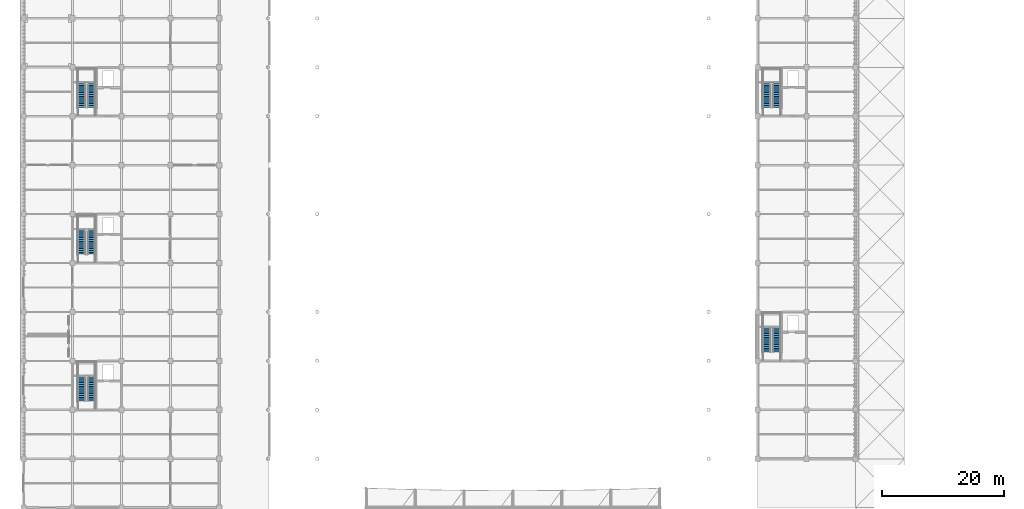
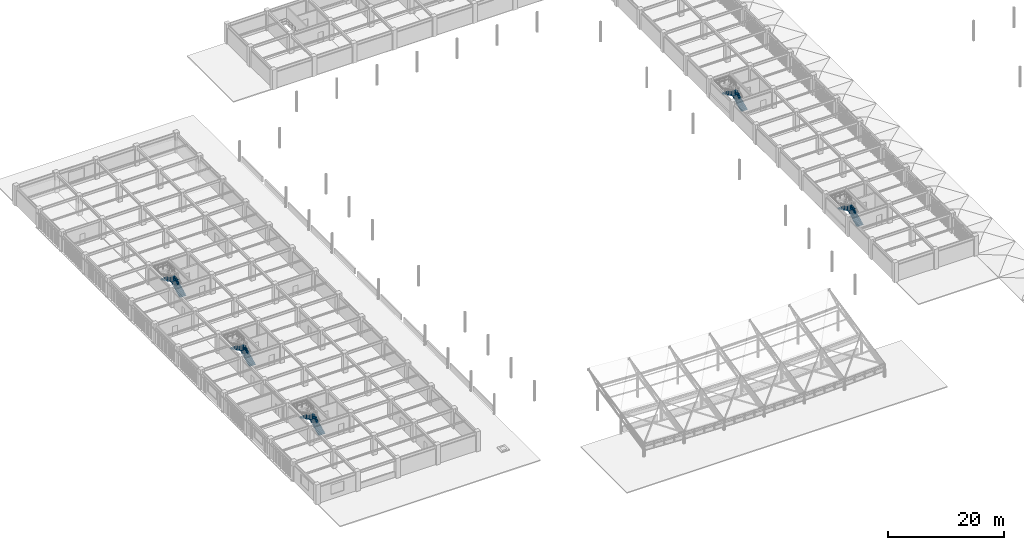
# One storey, part 63 of 78: 10 stair flights, 5 elements without a shape of their own.
"""IFC4 building model written with IfcOpenShell, lengths in metres."""

from ifc_helpers import new_model, si_unit, direction, frame, origin, place, context, subcontext, project, spatial, polyline, outline, extrude, material, type_object, element, aggregate, save


model = new_model("IFC4")

# Units and contexts
model_context = context("Model", 3, precision=1e-05, world=origin(), true_north=direction((0.0, 1.0)))
body_context = subcontext(model_context, "Body", "Model", "MODEL_VIEW")
ifc_project = project(units=[si_unit("LENGTHUNIT", "METRE"), si_unit("AREAUNIT", "SQUARE_METRE"), si_unit("VOLUMEUNIT", "CUBIC_METRE"), si_unit("PLANEANGLEUNIT", "RADIAN"), si_unit("MASSUNIT", "GRAM", prefix="KILO")], contexts=[model_context])

# Site, building, storey
site_placement = place(None, origin())
site = spatial("IfcSite", under=ifc_project, at=site_placement, CompositionType="ELEMENT")
building_placement = place(site_placement, origin())
building = spatial("IfcBuilding", under=site, at=building_placement, Name="Haebicheon Civic Stadium", CompositionType="ELEMENT")
storey_placement = place(building_placement, frame((0.0, 0.0, 18.60009765625)))
storey = spatial("IfcBuildingStorey", under=building, at=storey_placement, Name="L05", CompositionType="ELEMENT", Elevation=18.60009765625)

# Stair, stair flights
ifc_material_1 = material(Name="Concrete C40/50", Category="concrete")
stair_type_1 = type_object("IfcStairType", Name="STR-DL-W126-H42", PredefinedType="HALF_TURN_STAIR", material=ifc_material_1)
stair_1_placement = place(storey_placement, origin())
stair_1 = element("IfcStair", 1, at=stair_1_placement, inside=storey, type_object=stair_type_1, material=ifc_material_1, Name="L05 Escape stair ST-03", PredefinedType="HALF_TURN_STAIR")
ifc_material_2 = material(Name="Concrete C40/50", Category="concrete")
stair_flight_type_1 = type_object("IfcStairFlightType", Name="STF-DL-W126-H42", PredefinedType="STRAIGHT", material=ifc_material_2)
stair_flight_1_placement = place(storey_placement, frame((35.110107421875, 81.449951171875, 0.0), z_axis=(0.0, 0.0, 1.0), x_axis=(0.0, 1.0, 0.0)))
stair_flight_1 = element("IfcStairFlight", 2, at=stair_flight_1_placement, type_object=stair_flight_type_1, material=ifc_material_2, Name="ST-03 flight 1", NumberOfRisers=14, NumberOfTreads=13, PredefinedType="STRAIGHT", RiserHeight=0.15, TreadLength=0.3, context=body_context, shape_type="SweptSolid", body=[
    extrude(outline(polyline([(0.0, 0.0), (0.0, 0.14990234375), (0.300048828125, 0.14990234375), (0.300048828125, 0.300048828125), (0.60009765625, 0.300048828125), (0.60009765625, 0.449951171875), (0.89990234375, 0.449951171875), (0.89990234375, 0.60009765625), (1.199951171875, 0.60009765625), (1.199951171875, 0.75), (1.5, 0.75), (1.5, 0.89990234375), (1.800048828125, 0.89990234375), (1.800048828125, 1.050048828125), (2.10009765625, 1.050048828125), (2.10009765625, 1.199951171875), (2.39990234375, 1.199951171875), (2.39990234375, 1.35009765625), (2.699951171875, 1.35009765625), (2.699951171875, 1.5), (3.0, 1.5), (3.0, 1.64990234375), (3.300048828125, 1.64990234375), (3.300048828125, 1.800048828125), (3.60009765625, 1.800048828125), (3.60009765625, 1.949951171875), (3.89990234375, 1.949951171875), (3.89990234375, 2.10009765625), (3.89990234375, 1.771240234375), (0.357666015625, 0.0), (0.0, 0.0)])), frame((0.0, 0.6298828125, 0.0), z_axis=(0.0, -1.0, 0.0), x_axis=(1.0, 0.0, 0.0)), (0.0, 0.0, 1.0), 1.260009765625),
])
stair_flight_2_placement = place(storey_placement, frame((33.469970703125, 85.35009765625, 2.099853515625), z_axis=(0.0, 0.0, 1.0), x_axis=(0.0, -1.0, 0.0)))
stair_flight_2 = element("IfcStairFlight", 3, at=stair_flight_2_placement, type_object=stair_flight_type_1, material=ifc_material_2, Name="ST-03 flight 2", NumberOfRisers=14, NumberOfTreads=13, PredefinedType="STRAIGHT", RiserHeight=0.15, TreadLength=0.3, context=body_context, shape_type="SweptSolid", body=[
    extrude(outline(polyline([(0.0, 0.0), (0.0, 0.14990234375), (0.300048828125, 0.14990234375), (0.300048828125, 0.300048828125), (0.60009765625, 0.300048828125), (0.60009765625, 0.449951171875), (0.89990234375, 0.449951171875), (0.89990234375, 0.60009765625), (1.199951171875, 0.60009765625), (1.199951171875, 0.75), (1.5, 0.75), (1.5, 0.89990234375), (1.800048828125, 0.89990234375), (1.800048828125, 1.050048828125), (2.10009765625, 1.050048828125), (2.10009765625, 1.199951171875), (2.39990234375, 1.199951171875), (2.39990234375, 1.35009765625), (2.699951171875, 1.35009765625), (2.699951171875, 1.5), (3.0, 1.5), (3.0, 1.64990234375), (3.300048828125, 1.64990234375), (3.300048828125, 1.800048828125), (3.60009765625, 1.800048828125), (3.60009765625, 1.949951171875), (3.89990234375, 1.949951171875), (3.89990234375, 2.10009765625), (3.89990234375, 1.771240234375), (0.357666015625, 0.0), (0.0, 0.0)])), frame((0.0, 0.6298828125, 0.0), z_axis=(0.0, -1.0, 0.0), x_axis=(1.0, 0.0, 0.0)), (0.0, 0.0, 1.0), 1.260009765625),
])
aggregate(stair_1, [stair_flight_1, stair_flight_2])

stair_2_placement = place(storey_placement, origin())
stair_2 = element("IfcStair", 4, at=stair_2_placement, inside=storey, type_object=stair_type_1, material=ifc_material_1, Name="L05 Escape stair ST-11", PredefinedType="HALF_TURN_STAIR")
stair_flight_3_placement = place(storey_placement, frame((147.110107421875, 105.449951171875, 0.0), z_axis=(0.0, 0.0, 1.0), x_axis=(0.0, 1.0, 0.0)))
stair_flight_3 = element("IfcStairFlight", 5, at=stair_flight_3_placement, type_object=stair_flight_type_1, material=ifc_material_2, Name="ST-11 flight 1", NumberOfRisers=14, NumberOfTreads=13, PredefinedType="STRAIGHT", RiserHeight=0.15, TreadLength=0.3, context=body_context, shape_type="SweptSolid", body=[
    extrude(outline(polyline([(0.0, 0.0), (0.0, 0.14990234375), (0.300048828125, 0.14990234375), (0.300048828125, 0.300048828125), (0.60009765625, 0.300048828125), (0.60009765625, 0.449951171875), (0.89990234375, 0.449951171875), (0.89990234375, 0.60009765625), (1.199951171875, 0.60009765625), (1.199951171875, 0.75), (1.5, 0.75), (1.5, 0.89990234375), (1.800048828125, 0.89990234375), (1.800048828125, 1.050048828125), (2.10009765625, 1.050048828125), (2.10009765625, 1.199951171875), (2.39990234375, 1.199951171875), (2.39990234375, 1.35009765625), (2.699951171875, 1.35009765625), (2.699951171875, 1.5), (3.0, 1.5), (3.0, 1.64990234375), (3.300048828125, 1.64990234375), (3.300048828125, 1.800048828125), (3.60009765625, 1.800048828125), (3.60009765625, 1.949951171875), (3.89990234375, 1.949951171875), (3.89990234375, 2.10009765625), (3.89990234375, 1.771240234375), (0.357666015625, 0.0), (0.0, 0.0)])), frame((0.0, 0.6298828125, 0.0), z_axis=(0.0, -1.0, 0.0), x_axis=(1.0, 0.0, 0.0)), (0.0, 0.0, 1.0), 1.260009765625),
])
stair_flight_4_placement = place(storey_placement, frame((145.469970703125, 109.35009765625, 2.099853515625), z_axis=(0.0, 0.0, 1.0), x_axis=(0.0, -1.0, 0.0)))
stair_flight_4 = element("IfcStairFlight", 6, at=stair_flight_4_placement, type_object=stair_flight_type_1, material=ifc_material_2, Name="ST-11 flight 2", NumberOfRisers=14, NumberOfTreads=13, PredefinedType="STRAIGHT", RiserHeight=0.15, TreadLength=0.3, context=body_context, shape_type="SweptSolid", body=[
    extrude(outline(polyline([(0.0, 0.0), (0.0, 0.14990234375), (0.300048828125, 0.14990234375), (0.300048828125, 0.300048828125), (0.60009765625, 0.300048828125), (0.60009765625, 0.449951171875), (0.89990234375, 0.449951171875), (0.89990234375, 0.60009765625), (1.199951171875, 0.60009765625), (1.199951171875, 0.75), (1.5, 0.75), (1.5, 0.89990234375), (1.800048828125, 0.89990234375), (1.800048828125, 1.050048828125), (2.10009765625, 1.050048828125), (2.10009765625, 1.199951171875), (2.39990234375, 1.199951171875), (2.39990234375, 1.35009765625), (2.699951171875, 1.35009765625), (2.699951171875, 1.5), (3.0, 1.5), (3.0, 1.64990234375), (3.300048828125, 1.64990234375), (3.300048828125, 1.800048828125), (3.60009765625, 1.800048828125), (3.60009765625, 1.949951171875), (3.89990234375, 1.949951171875), (3.89990234375, 2.10009765625), (3.89990234375, 1.771240234375), (0.357666015625, 0.0), (0.0, 0.0)])), frame((0.0, 0.6298828125, 0.0), z_axis=(0.0, -1.0, 0.0), x_axis=(1.0, 0.0, 0.0)), (0.0, 0.0, 1.0), 1.260009765625),
])
aggregate(stair_2, [stair_flight_3, stair_flight_4])

ifc_material_3 = material(Name="Concrete C40/50", Category="concrete")
stair_type_2 = type_object("IfcStairType", Name="STR-DL-W128-H42", PredefinedType="HALF_TURN_STAIR", material=ifc_material_3)
stair_3_placement = place(storey_placement, origin())
stair_3 = element("IfcStair", 7, at=stair_3_placement, inside=storey, type_object=stair_type_2, material=ifc_material_3, Name="L05 Escape stair ST-02", PredefinedType="HALF_TURN_STAIR")
ifc_material_4 = material(Name="Concrete C40/50", Category="concrete")
stair_flight_type_2 = type_object("IfcStairFlightType", Name="STF-DL-W128-H42", PredefinedType="STRAIGHT", material=ifc_material_4)
stair_flight_5_placement = place(storey_placement, frame((35.10009765625, 57.449951171875, 0.0), z_axis=(0.0, 0.0, 1.0), x_axis=(0.0, 1.0, 0.0)))
stair_flight_5 = element("IfcStairFlight", 8, at=stair_flight_5_placement, type_object=stair_flight_type_2, material=ifc_material_4, Name="ST-02 flight 1", NumberOfRisers=14, NumberOfTreads=13, PredefinedType="STRAIGHT", RiserHeight=0.15, TreadLength=0.3, context=body_context, shape_type="SweptSolid", body=[
    extrude(outline(polyline([(0.0, 0.0), (0.0, 0.14990234375), (0.300048828125, 0.14990234375), (0.300048828125, 0.300048828125), (0.60009765625, 0.300048828125), (0.60009765625, 0.449951171875), (0.89990234375, 0.449951171875), (0.89990234375, 0.60009765625), (1.199951171875, 0.60009765625), (1.199951171875, 0.75), (1.5, 0.75), (1.5, 0.89990234375), (1.800048828125, 0.89990234375), (1.800048828125, 1.050048828125), (2.10009765625, 1.050048828125), (2.10009765625, 1.199951171875), (2.39990234375, 1.199951171875), (2.39990234375, 1.35009765625), (2.699951171875, 1.35009765625), (2.699951171875, 1.5), (3.0, 1.5), (3.0, 1.64990234375), (3.300048828125, 1.64990234375), (3.300048828125, 1.800048828125), (3.60009765625, 1.800048828125), (3.60009765625, 1.949951171875), (3.89990234375, 1.949951171875), (3.89990234375, 2.10009765625), (3.89990234375, 1.771240234375), (0.357666015625, 0.0), (0.0, 0.0)])), frame((0.0, 0.64013671875, 0.0), z_axis=(0.0, -1.0, 0.0), x_axis=(1.0, 0.0, 0.0)), (0.0, 0.0, 1.0), 1.280029296875),
])
stair_flight_6_placement = place(storey_placement, frame((33.47998046875, 61.35009765625, 2.099853515625), z_axis=(0.0, 0.0, 1.0), x_axis=(0.0, -1.0, 0.0)))
stair_flight_6 = element("IfcStairFlight", 9, at=stair_flight_6_placement, type_object=stair_flight_type_2, material=ifc_material_4, Name="ST-02 flight 2", NumberOfRisers=14, NumberOfTreads=13, PredefinedType="STRAIGHT", RiserHeight=0.15, TreadLength=0.3, context=body_context, shape_type="SweptSolid", body=[
    extrude(outline(polyline([(0.0, 0.0), (0.0, 0.14990234375), (0.300048828125, 0.14990234375), (0.300048828125, 0.300048828125), (0.60009765625, 0.300048828125), (0.60009765625, 0.449951171875), (0.89990234375, 0.449951171875), (0.89990234375, 0.60009765625), (1.199951171875, 0.60009765625), (1.199951171875, 0.75), (1.5, 0.75), (1.5, 0.89990234375), (1.800048828125, 0.89990234375), (1.800048828125, 1.050048828125), (2.10009765625, 1.050048828125), (2.10009765625, 1.199951171875), (2.39990234375, 1.199951171875), (2.39990234375, 1.35009765625), (2.699951171875, 1.35009765625), (2.699951171875, 1.5), (3.0, 1.5), (3.0, 1.64990234375), (3.300048828125, 1.64990234375), (3.300048828125, 1.800048828125), (3.60009765625, 1.800048828125), (3.60009765625, 1.949951171875), (3.89990234375, 1.949951171875), (3.89990234375, 2.10009765625), (3.89990234375, 1.771240234375), (0.357666015625, 0.0), (0.0, 0.0)])), frame((0.0, 0.64013671875, 0.0), z_axis=(0.0, -1.0, 0.0), x_axis=(1.0, 0.0, 0.0)), (0.0, 0.0, 1.0), 1.280029296875),
])
aggregate(stair_3, [stair_flight_5, stair_flight_6])

stair_4_placement = place(storey_placement, origin())
stair_4 = element("IfcStair", 10, at=stair_4_placement, inside=storey, type_object=stair_type_2, material=ifc_material_3, Name="L05 Escape stair ST-04", PredefinedType="HALF_TURN_STAIR")
stair_flight_7_placement = place(storey_placement, frame((35.10009765625, 105.449951171875, 0.0), z_axis=(0.0, 0.0, 1.0), x_axis=(0.0, 1.0, 0.0)))
stair_flight_7 = element("IfcStairFlight", 11, at=stair_flight_7_placement, type_object=stair_flight_type_2, material=ifc_material_4, Name="ST-04 flight 1", NumberOfRisers=14, NumberOfTreads=13, PredefinedType="STRAIGHT", RiserHeight=0.15, TreadLength=0.3, context=body_context, shape_type="SweptSolid", body=[
    extrude(outline(polyline([(0.0, 0.0), (0.0, 0.14990234375), (0.300048828125, 0.14990234375), (0.300048828125, 0.300048828125), (0.60009765625, 0.300048828125), (0.60009765625, 0.449951171875), (0.89990234375, 0.449951171875), (0.89990234375, 0.60009765625), (1.199951171875, 0.60009765625), (1.199951171875, 0.75), (1.5, 0.75), (1.5, 0.89990234375), (1.800048828125, 0.89990234375), (1.800048828125, 1.050048828125), (2.10009765625, 1.050048828125), (2.10009765625, 1.199951171875), (2.39990234375, 1.199951171875), (2.39990234375, 1.35009765625), (2.699951171875, 1.35009765625), (2.699951171875, 1.5), (3.0, 1.5), (3.0, 1.64990234375), (3.300048828125, 1.64990234375), (3.300048828125, 1.800048828125), (3.60009765625, 1.800048828125), (3.60009765625, 1.949951171875), (3.89990234375, 1.949951171875), (3.89990234375, 2.10009765625), (3.89990234375, 1.771240234375), (0.357666015625, 0.0), (0.0, 0.0)])), frame((0.0, 0.64013671875, 0.0), z_axis=(0.0, -1.0, 0.0), x_axis=(1.0, 0.0, 0.0)), (0.0, 0.0, 1.0), 1.280029296875),
])
stair_flight_8_placement = place(storey_placement, frame((33.47998046875, 109.35009765625, 2.099853515625), z_axis=(0.0, 0.0, 1.0), x_axis=(0.0, -1.0, 0.0)))
stair_flight_8 = element("IfcStairFlight", 12, at=stair_flight_8_placement, type_object=stair_flight_type_2, material=ifc_material_4, Name="ST-04 flight 2", NumberOfRisers=14, NumberOfTreads=13, PredefinedType="STRAIGHT", RiserHeight=0.15, TreadLength=0.3, context=body_context, shape_type="SweptSolid", body=[
    extrude(outline(polyline([(0.0, 0.0), (0.0, 0.14990234375), (0.300048828125, 0.14990234375), (0.300048828125, 0.300048828125), (0.60009765625, 0.300048828125), (0.60009765625, 0.449951171875), (0.89990234375, 0.449951171875), (0.89990234375, 0.60009765625), (1.199951171875, 0.60009765625), (1.199951171875, 0.75), (1.5, 0.75), (1.5, 0.89990234375), (1.800048828125, 0.89990234375), (1.800048828125, 1.050048828125), (2.10009765625, 1.050048828125), (2.10009765625, 1.199951171875), (2.39990234375, 1.199951171875), (2.39990234375, 1.35009765625), (2.699951171875, 1.35009765625), (2.699951171875, 1.5), (3.0, 1.5), (3.0, 1.64990234375), (3.300048828125, 1.64990234375), (3.300048828125, 1.800048828125), (3.60009765625, 1.800048828125), (3.60009765625, 1.949951171875), (3.89990234375, 1.949951171875), (3.89990234375, 2.10009765625), (3.89990234375, 1.771240234375), (0.357666015625, 0.0), (0.0, 0.0)])), frame((0.0, 0.64013671875, 0.0), z_axis=(0.0, -1.0, 0.0), x_axis=(1.0, 0.0, 0.0)), (0.0, 0.0, 1.0), 1.280029296875),
])
aggregate(stair_4, [stair_flight_7, stair_flight_8])

stair_5_placement = place(storey_placement, origin())
stair_5 = element("IfcStair", 13, at=stair_5_placement, inside=storey, type_object=stair_type_2, material=ifc_material_3, Name="L05 Escape stair ST-10", PredefinedType="HALF_TURN_STAIR")
stair_flight_9_placement = place(storey_placement, frame((147.10009765625, 65.449951171875, 0.0), z_axis=(0.0, 0.0, 1.0), x_axis=(0.0, 1.0, 0.0)))
stair_flight_9 = element("IfcStairFlight", 14, at=stair_flight_9_placement, type_object=stair_flight_type_2, material=ifc_material_4, Name="ST-10 flight 1", NumberOfRisers=14, NumberOfTreads=13, PredefinedType="STRAIGHT", RiserHeight=0.15, TreadLength=0.3, context=body_context, shape_type="SweptSolid", body=[
    extrude(outline(polyline([(0.0, 0.0), (0.0, 0.14990234375), (0.300048828125, 0.14990234375), (0.300048828125, 0.300048828125), (0.60009765625, 0.300048828125), (0.60009765625, 0.449951171875), (0.89990234375, 0.449951171875), (0.89990234375, 0.60009765625), (1.199951171875, 0.60009765625), (1.199951171875, 0.75), (1.5, 0.75), (1.5, 0.89990234375), (1.800048828125, 0.89990234375), (1.800048828125, 1.050048828125), (2.10009765625, 1.050048828125), (2.10009765625, 1.199951171875), (2.39990234375, 1.199951171875), (2.39990234375, 1.35009765625), (2.699951171875, 1.35009765625), (2.699951171875, 1.5), (3.0, 1.5), (3.0, 1.64990234375), (3.300048828125, 1.64990234375), (3.300048828125, 1.800048828125), (3.60009765625, 1.800048828125), (3.60009765625, 1.949951171875), (3.89990234375, 1.949951171875), (3.89990234375, 2.10009765625), (3.89990234375, 1.771240234375), (0.357666015625, 0.0), (0.0, 0.0)])), frame((0.0, 0.64013671875, 0.0), z_axis=(0.0, -1.0, 0.0), x_axis=(1.0, 0.0, 0.0)), (0.0, 0.0, 1.0), 1.280029296875),
])
stair_flight_10_placement = place(storey_placement, frame((145.47998046875, 69.35009765625, 2.099853515625), z_axis=(0.0, 0.0, 1.0), x_axis=(0.0, -1.0, 0.0)))
stair_flight_10 = element("IfcStairFlight", 15, at=stair_flight_10_placement, type_object=stair_flight_type_2, material=ifc_material_4, Name="ST-10 flight 2", NumberOfRisers=14, NumberOfTreads=13, PredefinedType="STRAIGHT", RiserHeight=0.15, TreadLength=0.3, context=body_context, shape_type="SweptSolid", body=[
    extrude(outline(polyline([(0.0, 0.0), (0.0, 0.14990234375), (0.300048828125, 0.14990234375), (0.300048828125, 0.300048828125), (0.60009765625, 0.300048828125), (0.60009765625, 0.449951171875), (0.89990234375, 0.449951171875), (0.89990234375, 0.60009765625), (1.199951171875, 0.60009765625), (1.199951171875, 0.75), (1.5, 0.75), (1.5, 0.89990234375), (1.800048828125, 0.89990234375), (1.800048828125, 1.050048828125), (2.10009765625, 1.050048828125), (2.10009765625, 1.199951171875), (2.39990234375, 1.199951171875), (2.39990234375, 1.35009765625), (2.699951171875, 1.35009765625), (2.699951171875, 1.5), (3.0, 1.5), (3.0, 1.64990234375), (3.300048828125, 1.64990234375), (3.300048828125, 1.800048828125), (3.60009765625, 1.800048828125), (3.60009765625, 1.949951171875), (3.89990234375, 1.949951171875), (3.89990234375, 2.10009765625), (3.89990234375, 1.771240234375), (0.357666015625, 0.0), (0.0, 0.0)])), frame((0.0, 0.64013671875, 0.0), z_axis=(0.0, -1.0, 0.0), x_axis=(1.0, 0.0, 0.0)), (0.0, 0.0, 1.0), 1.280029296875),
])
aggregate(stair_5, [stair_flight_9, stair_flight_10])

save(model, "model.ifc")
